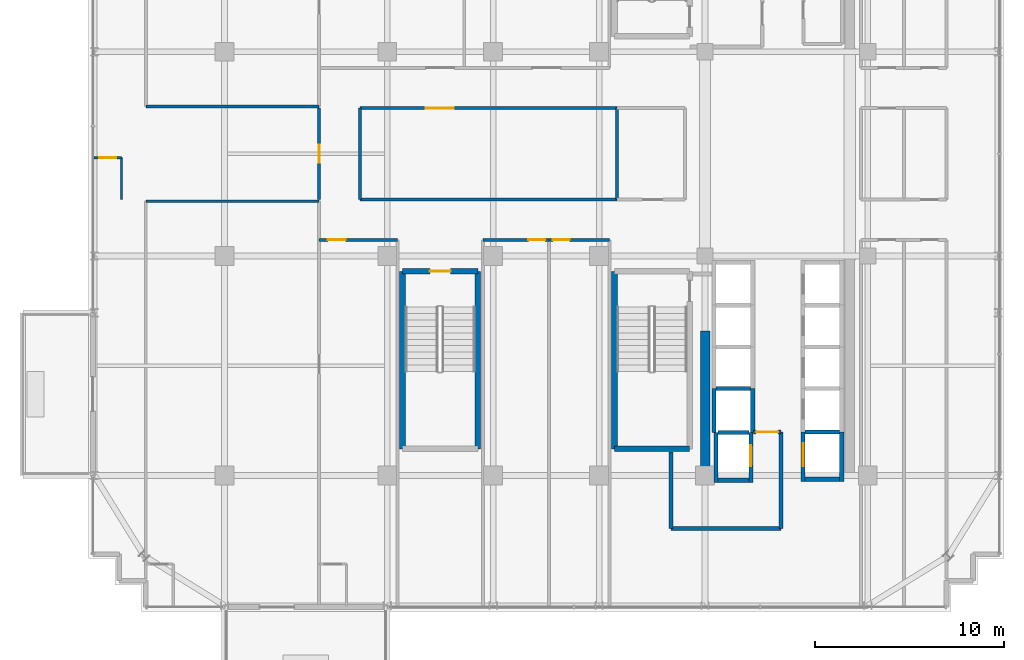
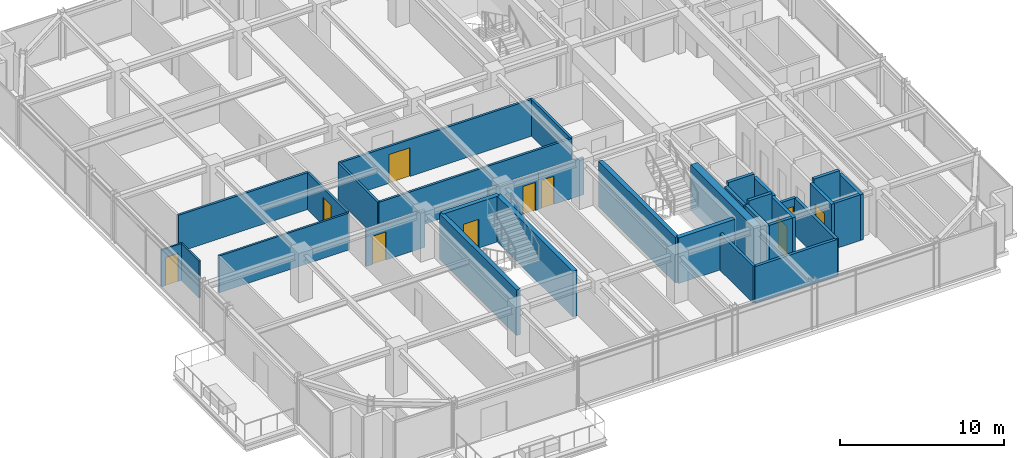
# One storey, part 29 of 35: 33 walls, 10 doors, 10 openings.
"""IFC4 building model written with IfcOpenShell, lengths in metres."""

from ifc_helpers import new_model, si_unit, direction, frame, frame_2d, origin, place, context, subcontext, project, spatial, rectangle, extrude, source, transform, mapped, material, layer, layer_set, type_object, element, fill, save


model = new_model("IFC4")

# Units and contexts
model_context = context("Model", 3, precision=1e-05, world=origin(), true_north=direction((0.0, 1.0)))
body_context = subcontext(model_context, "Body", "Model", "MODEL_VIEW")
ifc_project = project(units=[si_unit("LENGTHUNIT", "METRE"), si_unit("AREAUNIT", "SQUARE_METRE"), si_unit("VOLUMEUNIT", "CUBIC_METRE"), si_unit("PLANEANGLEUNIT", "RADIAN"), si_unit("MASSUNIT", "GRAM", prefix="KILO")], contexts=[model_context])

# Site, building, storey
site_placement = place(None, origin())
site = spatial("IfcSite", under=ifc_project, at=site_placement, CompositionType="ELEMENT")
building_placement = place(site_placement, origin())
building = spatial("IfcBuilding", under=site, at=building_placement, Name="Nahalor Promenade Grand Hotel", CompositionType="ELEMENT")
storey_placement = place(building_placement, frame((0.0, 0.0, 245.60009765625)))
storey = spatial("IfcBuildingStorey", under=building, at=storey_placement, Name="L63", CompositionType="ELEMENT", Elevation=245.60009765625)

# Walls
ifc_material_1 = material(Name="Concrete B-60 (C50/60)", Category="concrete")
ifc_layer_1 = layer(ifc_material_1, 0.5)
ifc_layer_set_1 = layer_set([ifc_layer_1], Name="Concrete B-60 (C50/60)")
wall_type_1 = type_object("IfcWallType", Name="Wall-CoreShear-500", PredefinedType="SHEAR", material=ifc_layer_set_1)
shared_shape_1 = source(origin(), body_context, "Body", "SweptSolid", [
    extrude(rectangle(XDim=7.64990234375, YDim=0.5, at=frame_2d((3.824951171875, 0.0))), origin(), (0.0, 0.0, 1.0), 3.409912109375),
])
wall_1_placement = place(storey_placement, frame((8.39990234375, -17.0, 0.0), z_axis=(0.0, 0.0, 1.0), x_axis=(0.0, 1.0, 0.0)))
element("IfcWall", 1, at=wall_1_placement, inside=storey, type_object=wall_type_1, Name="CWALL-L63-SW", PredefinedType="SHEAR", context=body_context, shape_type="MappedRepresentation", body=[
    mapped(shared_shape_1, transform((0.0, 0.0, 0.0), scale=1.0)),
])
ifc_material_2 = material(Name="Concrete B-50 (C40/50)", Category="concrete")
ifc_layer_2 = layer(ifc_material_2, 0.300048828125)
ifc_layer_set_2 = layer_set([ifc_layer_2], Name="Concrete B-50 (C40/50)")
wall_type_2 = type_object("IfcWallType", Name="Wall-ShaftShear-300", PredefinedType="SHEAR", material=ifc_layer_set_2)
shared_shape_2 = source(origin(), body_context, "Body", "SweptSolid", [
    extrude(rectangle(XDim=3.97998046875, YDim=0.300048828125, at=frame_2d((1.989990234375, 0.0))), origin(), (0.0, 0.0, 1.0), 3.409912109375),
])
wall_2_placement = place(storey_placement, frame((3.610107421875, -15.590087890625, 0.0), z_axis=(0.0, 0.0, 1.0), x_axis=(1.0, 0.0, 0.0)))
element("IfcWall", 2, at=wall_2_placement, inside=storey, type_object=wall_type_2, Name="L63 Exit Stair ST2 Shaft Wall S", PredefinedType="SHEAR", context=body_context, shape_type="MappedRepresentation", body=[
    mapped(shared_shape_2, transform((0.0, 0.0, 0.0), scale=1.0)),
])

# Wall, opening, door
wall_3_placement = place(storey_placement, frame((-7.590087890625, -6.2099609375, 0.0), z_axis=(0.0, 0.0, 1.0), x_axis=(1.0, 0.0, 0.0)))
wall_3 = element("IfcWall", 3, at=wall_3_placement, inside=storey, type_object=wall_type_2, Name="L63 Exit Stair ST3 Shaft Wall N", PredefinedType="SHEAR", context=body_context, shape_type="MappedRepresentation", body=[
    mapped(shared_shape_2, transform((0.0, 0.0, 0.0), scale=1.0)),
])
opening_1_placement = place(wall_3_placement, frame((1.43994140625, 0.0, 0.0)))
opening_1 = element("IfcOpeningElement", 4, at=opening_1_placement, cuts=wall_3, Name="Opening D-ST1", PredefinedType="OPENING", context=body_context, shape_type="SweptSolid", body=[
    extrude(rectangle(XDim=1.10009765625, YDim=2.14990234375, at=frame_2d((0.550048828125, 1.074951171875))), frame((0.0, 0.159912109375, 0.0), z_axis=(0.0, -1.0, 0.0), x_axis=(1.0, 0.0, 0.0)), (0.0, 0.0, 1.0), 0.320068359375),
])
ifc_material_3 = material(Name="Steel S355JR", Category="steel")
door_type_1 = type_object("IfcDoorType", Name="Door-StairFire-1100", OperationType="NOTDEFINED", PredefinedType="DOOR", material=ifc_material_3)
shared_shape_3 = source(origin(), body_context, "Body", "SweptSolid", [
    extrude(rectangle(XDim=1.10009765625, YDim=2.14990234375, at=frame_2d((0.550048828125, 1.074951171875))), frame((0.0, 0.02490234375, 0.0), z_axis=(0.0, -1.0, 0.0), x_axis=(1.0, 0.0, 0.0)), (0.0, 0.0, 1.0), 0.050048828125),
])
door_1_placement = place(opening_1_placement, frame((1.10009765625, 0.0, 0.0), z_axis=(0.0, 0.0, 1.0), x_axis=(-1.0, 0.0, 0.0)))
door_1 = element("IfcDoor", 5, at=door_1_placement, inside=storey, type_object=door_type_1, Name="DR-STAIR-ST3-L63", OperationType="SINGLE_SWING_RIGHT", OverallHeight=2.14990234375, OverallWidth=1.10009765625, PredefinedType="DOOR", context=body_context, shape_type="MappedRepresentation", body=[
    mapped(shared_shape_3, transform((0.0, 0.0, 0.0), scale=1.0)),
])
fill(opening_1, door_1)

# Walls
shared_shape_4 = source(origin(), body_context, "Body", "SweptSolid", [
    extrude(rectangle(XDim=9.380126953125, YDim=0.300048828125, at=frame_2d((4.68994140625, 0.0))), origin(), (0.0, 0.0, 1.0), 3.409912109375),
])
for number, where, z_axis, x_axis, name in (
    (6, (3.610107421875, -15.590087890625, 0.0), (0.0, 0.0, 1.0), (0.0, 1.0, 0.0), "L63 Exit Stair ST2 Shaft Wall W"),
    (7, (-7.590087890625, -15.590087890625, 0.0), (0.0, 0.0, 1.0), (0.0, 1.0, 0.0), "L63 Exit Stair ST3 Shaft Wall W"),
    (8, (-3.610107421875, -15.590087890625, 0.0), (0.0, 0.0, 1.0), (0.0, 1.0, 0.0), "L63 Exit Stair ST3 Shaft Wall E"),
):
    element("IfcWall", number, at=place(storey_placement, frame(where, z_axis=z_axis, x_axis=x_axis)), inside=storey, type_object=wall_type_2, Name=name, PredefinedType="SHEAR", context=body_context, shape_type="MappedRepresentation", body=[
        mapped(shared_shape_4, transform((0.0, 0.0, 0.0), scale=1.0)),
    ])
ifc_layer_3 = layer(ifc_material_2, 0.219970703125)
ifc_layer_set_3 = layer_set([ifc_layer_3], Name="Concrete B-50 (C40/50)")
wall_type_3 = type_object("IfcWallType", Name="Wall-LiftShaft-220", PredefinedType="SHEAR", material=ifc_layer_set_3)
shared_shape_5 = source(origin(), body_context, "Body", "SweptSolid", [
    extrude(rectangle(XDim=1.820068359375, YDim=0.219970703125, at=frame_2d((0.91015625, 0.0))), origin(), (0.0, 0.0, 1.0), 3.409912109375),
])
wall_4_placement = place(storey_placement, frame((13.68994140625, -17.199951171875, 0.0), z_axis=(0.0, 0.0, 1.0), x_axis=(1.0, 0.0, 0.0)))
element("IfcWall", 9, at=wall_4_placement, inside=storey, type_object=wall_type_3, Name="L63 Lift SV2 Hoistway Wall S", PredefinedType="SHEAR", context=body_context, shape_type="MappedRepresentation", body=[
    mapped(shared_shape_5, transform((0.0, 0.0, 0.0), scale=1.0)),
])
shared_shape_6 = source(origin(), body_context, "Body", "SweptSolid", [
    extrude(rectangle(XDim=1.820068359375, YDim=0.219970703125, at=frame_2d((0.91015625, 0.0))), origin(), (0.0, 0.0, 1.0), 3.699951171875),
])
for number, where, z_axis, x_axis, name in (
    (10, (8.989990234375, -12.39990234375, 0.0), (0.0, 0.0, 1.0), (1.0, 0.0, 0.0), "L63 Lift PL12 Hoistway Wall N"),
    (11, (13.68994140625, -14.699951171875, 0.0), (0.0, 0.0, 1.0), (1.0, 0.0, 0.0), "L63 Lift SV2 Hoistway Wall N"),
):
    element("IfcWall", number, at=place(storey_placement, frame(where, z_axis=z_axis, x_axis=x_axis)), inside=storey, type_object=wall_type_3, Name=name, PredefinedType="SHEAR", context=body_context, shape_type="MappedRepresentation", body=[
        mapped(shared_shape_6, transform((0.0, 0.0, 0.0), scale=1.0)),
    ])
shared_shape_7 = source(origin(), body_context, "Body", "SweptSolid", [
    extrude(rectangle(XDim=2.3251953125, YDim=0.219970703125, at=frame_2d((1.16259765625, 0.0))), origin(), (0.0, 0.0, 1.0), 3.409912109375),
])
for number, where, z_axis, x_axis, name in (
    (12, (8.8798828125, -14.72509765625, 0.0), (0.0, 0.0, 1.0), (0.0, 1.0, 0.0), "L63 Lift PL12 Hoistway Wall W"),
    (13, (10.919921875, -14.72509765625, 0.0), (0.0, 0.0, 1.0), (0.0, 1.0, 0.0), "L63 Lift PL12 Hoistway Wall E"),
):
    element("IfcWall", number, at=place(storey_placement, frame(where, z_axis=z_axis, x_axis=x_axis)), inside=storey, type_object=wall_type_3, Name=name, PredefinedType="SHEAR", context=body_context, shape_type="MappedRepresentation", body=[
        mapped(shared_shape_7, transform((0.0, 0.0, 0.0), scale=1.0)),
    ])
shared_shape_8 = source(origin(), body_context, "Body", "SweptSolid", [
    extrude(rectangle(XDim=2.635009765625, YDim=0.219970703125, at=frame_2d((1.3173828125, 0.0))), origin(), (0.0, 0.0, 1.0), 3.409912109375),
])
wall_5_placement = place(storey_placement, frame((8.97998046875, -17.360107421875, 0.0), z_axis=(0.0, 0.0, 1.0), x_axis=(0.0, 1.0, 0.0)))
element("IfcWall", 14, at=wall_5_placement, inside=storey, type_object=wall_type_3, Name="L63 Lift FL2 Hoistway Wall W", PredefinedType="SHEAR", context=body_context, shape_type="MappedRepresentation", body=[
    mapped(shared_shape_8, transform((0.0, 0.0, 0.0), scale=1.0)),
])

# Wall, opening, door
wall_6_placement = place(storey_placement, frame((10.820068359375, -17.360107421875, 0.0), z_axis=(0.0, 0.0, 1.0), x_axis=(0.0, 1.0, 0.0)))
wall_6 = element("IfcWall", 15, at=wall_6_placement, inside=storey, type_object=wall_type_3, Name="L63 Lift FL2 Hoistway Wall E", PredefinedType="SHEAR", context=body_context, shape_type="MappedRepresentation", body=[
    mapped(shared_shape_8, transform((0.0, 0.0, 0.0), scale=1.0)),
])
opening_2_placement = place(wall_6_placement, frame((0.860107421875, 0.0, 0.0)))
opening_2 = element("IfcOpeningElement", 16, at=opening_2_placement, cuts=wall_6, Name="Opening LD-02", PredefinedType="OPENING", context=body_context, shape_type="SweptSolid", body=[
    extrude(rectangle(XDim=1.10009765625, YDim=2.199951171875, at=frame_2d((0.550048828125, 1.10009765625))), frame((0.0, 0.119873046875, 0.0), z_axis=(0.0, -1.0, 0.0), x_axis=(1.0, 0.0, 0.0)), (0.0, 0.0, 1.0), 0.239990234375),
])
door_type_2 = type_object("IfcDoorType", Name="Door-LiftFF-1100", OperationType="DOUBLE_DOOR_SLIDING", PredefinedType="DOOR", material=ifc_material_3)
shared_shape_9 = source(origin(), body_context, "Body", "SweptSolid", [
    extrude(rectangle(XDim=1.10009765625, YDim=2.199951171875, at=frame_2d((0.550048828125, 1.10009765625))), frame((0.0, 0.02490234375, 0.0), z_axis=(0.0, -1.0, 0.0), x_axis=(1.0, 0.0, 0.0)), (0.0, 0.0, 1.0), 0.050048828125),
])
door_2_placement = place(opening_2_placement, frame((1.10009765625, 0.0, 0.0), z_axis=(0.0, 0.0, 1.0), x_axis=(-1.0, 0.0, 0.0)))
door_2 = element("IfcDoor", 17, at=door_2_placement, inside=storey, type_object=door_type_2, Name="DR-LIFT-FL2-L63", OperationType="DOUBLE_DOOR_SLIDING", OverallHeight=2.199951171875, OverallWidth=1.10009765625, PredefinedType="DOOR", context=body_context, shape_type="MappedRepresentation", body=[
    mapped(shared_shape_9, transform((0.0, 0.0, 0.0), scale=1.0)),
])
fill(opening_2, door_2)

# Walls
shared_shape_10 = source(origin(), body_context, "Body", "SweptSolid", [
    extrude(rectangle(XDim=1.619873046875, YDim=0.219970703125, at=frame_2d((0.81005859375, 0.0))), origin(), (0.0, 0.0, 1.0), 3.409912109375),
])
wall_7_placement = place(storey_placement, frame((9.090087890625, -17.25, 0.0), z_axis=(0.0, 0.0, 1.0), x_axis=(1.0, 0.0, 0.0)))
element("IfcWall", 18, at=wall_7_placement, inside=storey, type_object=wall_type_3, Name="L63 Lift FL2 Hoistway Wall S", PredefinedType="SHEAR", context=body_context, shape_type="MappedRepresentation", body=[
    mapped(shared_shape_10, transform((0.0, 0.0, 0.0), scale=1.0)),
])
shared_shape_11 = source(origin(), body_context, "Body", "SweptSolid", [
    extrude(rectangle(XDim=1.619873046875, YDim=0.219970703125, at=frame_2d((0.81005859375, 0.0))), origin(), (0.0, 0.0, 1.0), 3.699951171875),
])
wall_8_placement = place(storey_placement, frame((9.090087890625, -14.72509765625, 0.0), z_axis=(0.0, 0.0, 1.0), x_axis=(1.0, 0.0, 0.0)))
element("IfcWall", 19, at=wall_8_placement, inside=storey, type_object=wall_type_3, Name="L63 Lift FL2 Hoistway Wall N", PredefinedType="SHEAR", context=body_context, shape_type="MappedRepresentation", body=[
    mapped(shared_shape_11, transform((0.0, 0.0, 0.0), scale=1.0)),
])

# Wall, opening, door
shared_shape_12 = source(origin(), body_context, "Body", "SweptSolid", [
    extrude(rectangle(XDim=2.610107421875, YDim=0.219970703125, at=frame_2d((1.30517578125, 0.0))), origin(), (0.0, 0.0, 1.0), 3.409912109375),
])
wall_9_placement = place(storey_placement, frame((13.580078125, -17.31005859375, 0.0), z_axis=(0.0, 0.0, 1.0), x_axis=(0.0, 1.0, 0.0)))
wall_9 = element("IfcWall", 20, at=wall_9_placement, inside=storey, type_object=wall_type_3, Name="L63 Lift SV2 Hoistway Wall W", PredefinedType="SHEAR", context=body_context, shape_type="MappedRepresentation", body=[
    mapped(shared_shape_12, transform((0.0, 0.0, 0.0), scale=1.0)),
])
opening_3_placement = place(wall_9_placement, frame((0.81005859375, 0.0, 0.0)))
opening_3 = element("IfcOpeningElement", 21, at=opening_3_placement, cuts=wall_9, Name="Opening LD-03", PredefinedType="OPENING", context=body_context, shape_type="SweptSolid", body=[
    extrude(rectangle(XDim=1.199951171875, YDim=2.199951171875, at=frame_2d((0.60009765625, 1.10009765625))), frame((0.0, 0.119873046875, 0.0), z_axis=(0.0, -1.0, 0.0), x_axis=(1.0, 0.0, 0.0)), (0.0, 0.0, 1.0), 0.239990234375),
])
door_type_3 = type_object("IfcDoorType", Name="Door-LiftService-1200", OperationType="DOUBLE_DOOR_SLIDING", PredefinedType="DOOR", material=ifc_material_3)
shared_shape_13 = source(origin(), body_context, "Body", "SweptSolid", [
    extrude(rectangle(XDim=1.199951171875, YDim=2.199951171875, at=frame_2d((0.60009765625, 1.10009765625))), frame((0.0, 0.02490234375, 0.0), z_axis=(0.0, -1.0, 0.0), x_axis=(1.0, 0.0, 0.0)), (0.0, 0.0, 1.0), 0.050048828125),
])
door_3_placement = place(opening_3_placement, origin())
door_3 = element("IfcDoor", 22, at=door_3_placement, inside=storey, type_object=door_type_3, Name="DR-LIFT-SV2-L63", OperationType="DOUBLE_DOOR_SLIDING", OverallHeight=2.199951171875, OverallWidth=1.199951171875, PredefinedType="DOOR", context=body_context, shape_type="MappedRepresentation", body=[
    mapped(shared_shape_13, transform((0.0, 0.0, 0.0), scale=1.0)),
])
fill(opening_3, door_3)

# Walls
wall_10_placement = place(storey_placement, frame((15.6201171875, -17.31005859375, 0.0), z_axis=(0.0, 0.0, 1.0), x_axis=(0.0, 1.0, 0.0)))
element("IfcWall", 23, at=wall_10_placement, inside=storey, type_object=wall_type_3, Name="L63 Lift SV2 Hoistway Wall E", PredefinedType="SHEAR", context=body_context, shape_type="MappedRepresentation", body=[
    mapped(shared_shape_12, transform((0.0, 0.0, 0.0), scale=1.0)),
])
ifc_material_4 = material(Name="Concrete B-40 (C32/40)", Category="concrete")
ifc_layer_4 = layer(ifc_material_4, 0.199951171875)
ifc_layer_set_4 = layer_set([ifc_layer_4], Name="Concrete B-40 (C32/40)")
wall_type_4 = type_object("IfcWallType", Name="Wall-PartFire-200", PredefinedType="PARTITIONING", material=ifc_layer_set_4)
shared_shape_14 = source(origin(), body_context, "Body", "SweptSolid", [
    extrude(rectangle(XDim=5.81982421875, YDim=0.199951171875, at=frame_2d((2.909912109375, 0.0))), origin(), (0.0, 0.0, 1.0), 2.75),
])
wall_11_placement = place(storey_placement, frame((6.60009765625, -19.800048828125, 0.0), z_axis=(0.0, 0.0, 1.0), x_axis=(1.0, 0.0, 0.0)))
element("IfcWall", 24, at=wall_11_placement, inside=storey, type_object=wall_type_4, Name="W-L63-FF2-S1", PredefinedType="PARTITIONING", context=body_context, shape_type="MappedRepresentation", body=[
    mapped(shared_shape_14, transform((0.0, 0.0, 0.0), scale=1.0)),
])
shared_shape_15 = source(origin(), body_context, "Body", "SweptSolid", [
    extrude(rectangle(XDim=4.030029296875, YDim=0.199951171875, at=frame_2d((2.01513671875, 0.0))), origin(), (0.0, 0.0, 1.0), 2.75),
])
wall_12_placement = place(storey_placement, frame((6.60009765625, -19.800048828125, 0.0), z_axis=(0.0, 0.0, 1.0), x_axis=(0.0, 1.0, 0.0)))
element("IfcWall", 25, at=wall_12_placement, inside=storey, type_object=wall_type_4, Name="W-L63-FF2-W1", PredefinedType="PARTITIONING", context=body_context, shape_type="MappedRepresentation", body=[
    mapped(shared_shape_15, transform((0.0, 0.0, 0.0), scale=1.0)),
])
shared_shape_16 = source(origin(), body_context, "Body", "SweptSolid", [
    extrude(rectangle(XDim=5.10009765625, YDim=0.199951171875, at=frame_2d((2.550048828125, 0.0))), origin(), (0.0, 0.0, 1.0), 2.75),
])
wall_13_placement = place(storey_placement, frame((12.419921875, -19.800048828125, 0.0), z_axis=(0.0, 0.0, 1.0), x_axis=(0.0, 1.0, 0.0)))
element("IfcWall", 26, at=wall_13_placement, inside=storey, type_object=wall_type_4, Name="W-L63-FF2-E", PredefinedType="PARTITIONING", context=body_context, shape_type="MappedRepresentation", body=[
    mapped(shared_shape_16, transform((0.0, 0.0, 0.0), scale=1.0)),
])

# Wall, opening, door
shared_shape_17 = source(origin(), body_context, "Body", "SweptSolid", [
    extrude(rectangle(XDim=1.4599609375, YDim=0.199951171875, at=frame_2d((0.72998046875, 0.0))), origin(), (0.0, 0.0, 1.0), 2.75),
])
wall_14_placement = place(storey_placement, frame((10.9599609375, -14.699951171875, 0.0), z_axis=(0.0, 0.0, 1.0), x_axis=(1.0, 0.0, 0.0)))
wall_14 = element("IfcWall", 27, at=wall_14_placement, inside=storey, type_object=wall_type_4, Name="W-L63-FF2-N1", PredefinedType="PARTITIONING", context=body_context, shape_type="MappedRepresentation", body=[
    mapped(shared_shape_17, transform((0.0, 0.0, 0.0), scale=1.0)),
])
opening_4_placement = place(wall_14_placement, frame((0.14501953125, 0.0, 0.0)))
opening_4 = element("IfcOpeningElement", 28, at=opening_4_placement, cuts=wall_14, Name="Opening D-FF1", PredefinedType="OPENING", context=body_context, shape_type="SweptSolid", body=[
    extrude(rectangle(XDim=1.14990234375, YDim=2.14990234375, at=frame_2d((0.574951171875, 1.074951171875))), frame((0.0, 0.10986328125, 0.0), z_axis=(0.0, -1.0, 0.0), x_axis=(1.0, 0.0, 0.0)), (0.0, 0.0, 1.0), 0.219970703125),
])
door_type_4 = type_object("IfcDoorType", Name="Door-FFLobby-1150", OperationType="NOTDEFINED", PredefinedType="DOOR", material=ifc_material_3)
shared_shape_18 = source(origin(), body_context, "Body", "SweptSolid", [
    extrude(rectangle(XDim=1.14990234375, YDim=2.14990234375, at=frame_2d((0.574951171875, 1.074951171875))), frame((0.0, 0.02490234375, 0.0), z_axis=(0.0, -1.0, 0.0), x_axis=(1.0, 0.0, 0.0)), (0.0, 0.0, 1.0), 0.050048828125),
])
door_4_placement = place(opening_4_placement, origin())
door_4 = element("IfcDoor", 29, at=door_4_placement, inside=storey, type_object=door_type_4, Name="DR-L63-FFL2", OperationType="SINGLE_SWING_RIGHT", OverallHeight=2.14990234375, OverallWidth=1.14990234375, PredefinedType="DOOR", context=body_context, shape_type="MappedRepresentation", body=[
    mapped(shared_shape_18, transform((0.0, 0.0, 0.0), scale=1.0)),
])
fill(opening_4, door_4)

ifc_material_5 = material(Name="Acoustic Mineral Gypsum", Category="gypsum")
ifc_layer_5 = layer(ifc_material_5, 0.1201171875)
ifc_layer_set_5 = layer_set([ifc_layer_5], Name="Acoustic Mineral Gypsum")
wall_type_5 = type_object("IfcWallType", Name="Wall-PartBath-120", PredefinedType="PARTITIONING", material=ifc_layer_set_5)
shared_shape_19 = source(origin(), body_context, "Body", "SweptSolid", [
    extrude(rectangle(XDim=1.449951171875, YDim=0.1201171875, at=frame_2d((0.72509765625, 0.0))), origin(), (0.0, 0.0, 1.0), 2.75),
])
wall_15_placement = place(storey_placement, frame((-23.89990234375, -0.199951171875, 0.0), z_axis=(0.0, 0.0, 1.0), x_axis=(1.0, 0.0, 0.0)))
wall_15 = element("IfcWall", 30, at=wall_15_placement, inside=storey, type_object=wall_type_5, Name="W-L63-W1-BH", PredefinedType="PARTITIONING", context=body_context, shape_type="MappedRepresentation", body=[
    mapped(shared_shape_19, transform((0.0, 0.0, 0.0), scale=1.0)),
])
opening_5_placement = place(wall_15_placement, frame((0.284912109375, 0.0, 0.0)))
opening_5 = element("IfcOpeningElement", 31, at=opening_5_placement, cuts=wall_15, Name="Opening D-03", PredefinedType="OPENING", context=body_context, shape_type="SweptSolid", body=[
    extrude(rectangle(XDim=0.8798828125, YDim=2.10009765625, at=frame_2d((0.43994140625, 1.050048828125))), frame((0.0, 0.070068359375, 0.0), z_axis=(0.0, -1.0, 0.0), x_axis=(1.0, 0.0, 0.0)), (0.0, 0.0, 1.0), 0.14013671875),
])
ifc_material_6 = material(Name="Fire-Rated Timber Composite", Category="wood")
door_type_5 = type_object("IfcDoorType", Name="Door-BathSwing-880", OperationType="NOTDEFINED", PredefinedType="DOOR", material=ifc_material_6)
shared_shape_20 = source(origin(), body_context, "Body", "SweptSolid", [
    extrude(rectangle(XDim=0.8798828125, YDim=2.10009765625, at=frame_2d((0.43994140625, 1.050048828125))), frame((0.0, 0.02490234375, 0.0), z_axis=(0.0, -1.0, 0.0), x_axis=(1.0, 0.0, 0.0)), (0.0, 0.0, 1.0), 0.050048828125),
])
door_5_placement = place(opening_5_placement, frame((0.8798828125, 0.0, 0.0), z_axis=(0.0, 0.0, 1.0), x_axis=(-1.0, 0.0, 0.0)))
door_5 = element("IfcDoor", 32, at=door_5_placement, inside=storey, type_object=door_type_5, Name="DR-L63-W1-BATH", OperationType="SINGLE_SWING_RIGHT", OverallHeight=2.10009765625, OverallWidth=0.8798828125, PredefinedType="DOOR", context=body_context, shape_type="MappedRepresentation", body=[
    mapped(shared_shape_20, transform((0.0, 0.0, 0.0), scale=1.0)),
])
fill(opening_5, door_5)

# Wall
shared_shape_21 = source(origin(), body_context, "Body", "SweptSolid", [
    extrude(rectangle(XDim=2.219970703125, YDim=0.1201171875, at=frame_2d((1.10986328125, 0.0))), origin(), (0.0, 0.0, 1.0), 2.75),
])
wall_16_placement = place(storey_placement, frame((-22.449951171875, -2.419921875, 0.0), z_axis=(0.0, 0.0, 1.0), x_axis=(0.0, 1.0, 0.0)))
element("IfcWall", 33, at=wall_16_placement, inside=storey, type_object=wall_type_5, Name="W-L63-W1-BV", PredefinedType="PARTITIONING", context=body_context, shape_type="MappedRepresentation", body=[
    mapped(shared_shape_21, transform((0.0, 0.0, 0.0), scale=1.0)),
])

# Wall, opening, door
ifc_layer_6 = layer(ifc_material_5, 0.159912109375)
ifc_layer_set_6 = layer_set([ifc_layer_6], Name="Acoustic Mineral Gypsum")
wall_type_6 = type_object("IfcWallType", Name="Wall-PartCorridor-160", PredefinedType="PARTITIONING", material=ifc_layer_set_6)
shared_shape_22 = source(origin(), body_context, "Body", "SweptSolid", [
    extrude(rectangle(XDim=3.489990234375, YDim=0.159912109375, at=frame_2d((1.7451171875, 0.0))), origin(), (0.0, 0.0, 1.0), 2.75),
])
wall_17_placement = place(storey_placement, frame((-3.340087890625, -4.550048828125, 0.0), z_axis=(0.0, 0.0, 1.0), x_axis=(1.0, 0.0, 0.0)))
wall_17 = element("IfcWall", 34, at=wall_17_placement, inside=storey, type_object=wall_type_6, Name="W-L63-SCB1-N", PredefinedType="PARTITIONING", context=body_context, shape_type="MappedRepresentation", body=[
    mapped(shared_shape_22, transform((0.0, 0.0, 0.0), scale=1.0)),
])
opening_6_placement = place(wall_17_placement, frame((2.39990234375, 0.0, 0.0)))
opening_6 = element("IfcOpeningElement", 35, at=opening_6_placement, cuts=wall_17, Name="Opening D-03", PredefinedType="OPENING", context=body_context, shape_type="SweptSolid", body=[
    extrude(rectangle(XDim=0.8798828125, YDim=2.10009765625, at=frame_2d((0.43994140625, 1.050048828125))), frame((0.0, 0.08984375, 0.0), z_axis=(0.0, -1.0, 0.0), x_axis=(1.0, 0.0, 0.0)), (0.0, 0.0, 1.0), 0.179931640625),
])
door_6_placement = place(opening_6_placement, frame((0.8798828125, 0.0, 0.0), z_axis=(0.0, 0.0, 1.0), x_axis=(-1.0, 0.0, 0.0)))
door_6 = element("IfcDoor", 36, at=door_6_placement, inside=storey, type_object=door_type_5, Name="DR-L63-SCB1", OperationType="SINGLE_SWING_RIGHT", OverallHeight=2.10009765625, OverallWidth=0.8798828125, PredefinedType="DOOR", context=body_context, shape_type="MappedRepresentation", body=[
    mapped(shared_shape_20, transform((0.0, 0.0, 0.0), scale=1.0)),
])
fill(opening_6, door_6)

shared_shape_23 = source(origin(), body_context, "Body", "SweptSolid", [
    extrude(rectangle(XDim=3.190185546875, YDim=0.159912109375, at=frame_2d((1.59521484375, 0.0))), origin(), (0.0, 0.0, 1.0), 2.75),
])
wall_18_placement = place(storey_placement, frame((0.14990234375, -4.550048828125, 0.0), z_axis=(0.0, 0.0, 1.0), x_axis=(1.0, 0.0, 0.0)))
wall_18 = element("IfcWall", 37, at=wall_18_placement, inside=storey, type_object=wall_type_6, Name="W-L63-SCB2-N", PredefinedType="PARTITIONING", context=body_context, shape_type="MappedRepresentation", body=[
    mapped(shared_shape_23, transform((0.0, 0.0, 0.0), scale=1.0)),
])
opening_7_placement = place(wall_18_placement, frame((0.2099609375, 0.0, 0.0)))
opening_7 = element("IfcOpeningElement", 38, at=opening_7_placement, cuts=wall_18, Name="Opening D-03", PredefinedType="OPENING", context=body_context, shape_type="SweptSolid", body=[
    extrude(rectangle(XDim=0.8798828125, YDim=2.10009765625, at=frame_2d((0.43994140625, 1.050048828125))), frame((0.0, 0.08984375, 0.0), z_axis=(0.0, -1.0, 0.0), x_axis=(1.0, 0.0, 0.0)), (0.0, 0.0, 1.0), 0.179931640625),
])
door_7_placement = place(opening_7_placement, frame((0.8798828125, 0.0, 0.0), z_axis=(0.0, 0.0, 1.0), x_axis=(-1.0, 0.0, 0.0)))
door_7 = element("IfcDoor", 39, at=door_7_placement, inside=storey, type_object=door_type_5, Name="DR-L63-SCB2", OperationType="SINGLE_SWING_LEFT", OverallHeight=2.10009765625, OverallWidth=0.8798828125, PredefinedType="DOOR", context=body_context, shape_type="MappedRepresentation", body=[
    mapped(shared_shape_20, transform((0.0, 0.0, 0.0), scale=1.0)),
])
fill(opening_7, door_7)

shared_shape_24 = source(origin(), body_context, "Body", "SweptSolid", [
    extrude(rectangle(XDim=4.83984375, YDim=0.159912109375, at=frame_2d((2.419921875, 0.0))), origin(), (0.0, 0.0, 1.0), 2.75),
])
wall_19_placement = place(storey_placement, frame((-12.0, -2.419921875, 0.0), z_axis=(0.0, 0.0, 1.0), x_axis=(0.0, 1.0, 0.0)))
wall_19 = element("IfcWall", 40, at=wall_19_placement, inside=storey, type_object=wall_type_6, Name="W-L63-WEST-E", PredefinedType="PARTITIONING", context=body_context, shape_type="MappedRepresentation", body=[
    mapped(shared_shape_24, transform((0.0, 0.0, 0.0), scale=1.0)),
])
opening_8_placement = place(wall_19_placement, frame((1.945068359375, 0.0, 0.0)))
opening_8 = element("IfcOpeningElement", 41, at=opening_8_placement, cuts=wall_19, Name="Opening D-01", PredefinedType="OPENING", context=body_context, shape_type="SweptSolid", body=[
    extrude(rectangle(XDim=0.949951171875, YDim=2.10009765625, at=frame_2d((0.47509765625, 1.050048828125))), frame((0.0, 0.08984375, 0.0), z_axis=(0.0, -1.0, 0.0), x_axis=(1.0, 0.0, 0.0)), (0.0, 0.0, 1.0), 0.179931640625),
])
door_type_6 = type_object("IfcDoorType", Name="Door-GuestEntry-950", OperationType="NOTDEFINED", PredefinedType="DOOR", material=ifc_material_6)
shared_shape_25 = source(origin(), body_context, "Body", "SweptSolid", [
    extrude(rectangle(XDim=0.949951171875, YDim=2.10009765625, at=frame_2d((0.47509765625, 1.050048828125))), frame((0.0, 0.02490234375, 0.0), z_axis=(0.0, -1.0, 0.0), x_axis=(1.0, 0.0, 0.0)), (0.0, 0.0, 1.0), 0.050048828125),
])
door_8_placement = place(opening_8_placement, origin())
door_8 = element("IfcDoor", 42, at=door_8_placement, inside=storey, type_object=door_type_6, Name="DR-L63-W1-ENT", OperationType="SINGLE_SWING_LEFT", OverallHeight=2.10009765625, OverallWidth=0.949951171875, PredefinedType="DOOR", context=body_context, shape_type="MappedRepresentation", body=[
    mapped(shared_shape_25, transform((0.0, 0.0, 0.0), scale=1.0)),
])
fill(opening_8, door_8)

# Walls
for number, where, z_axis, x_axis, name in (
    (43, (-9.85009765625, -2.419921875, 0.0), (0.0, 0.0, 1.0), (0.0, 1.0, 0.0), "W-L63-CM1-W"),
    (44, (3.75, -2.419921875, 0.0), (0.0, 0.0, 1.0), (0.0, 1.0, 0.0), "W-L63-CM1-E"),
):
    element("IfcWall", number, at=place(storey_placement, frame(where, z_axis=z_axis, x_axis=x_axis)), inside=storey, type_object=wall_type_6, Name=name, PredefinedType="PARTITIONING", context=body_context, shape_type="MappedRepresentation", body=[
        mapped(shared_shape_24, transform((0.0, 0.0, 0.0), scale=1.0)),
    ])
ifc_layer_7 = layer(ifc_material_5, 0.139892578125)
ifc_layer_set_7 = layer_set([ifc_layer_7], Name="Acoustic Mineral Gypsum")
wall_type_7 = type_object("IfcWallType", Name="Wall-PartSuite-140", PredefinedType="PARTITIONING", material=ifc_layer_set_7)
shared_shape_26 = source(origin(), body_context, "Body", "SweptSolid", [
    extrude(rectangle(XDim=9.159912109375, YDim=0.139892578125, at=frame_2d((4.580078125, 0.0))), origin(), (0.0, 0.0, 1.0), 2.75),
])
wall_20_placement = place(storey_placement, frame((-21.159912109375, -2.5, 0.0), z_axis=(0.0, 0.0, 1.0), x_axis=(1.0, 0.0, 0.0)))
element("IfcWall", 45, at=wall_20_placement, inside=storey, type_object=wall_type_7, Name="W-L63-ZSW-N", PredefinedType="PARTITIONING", context=body_context, shape_type="MappedRepresentation", body=[
    mapped(shared_shape_26, transform((0.0, 0.0, 0.0), scale=1.0)),
])

# Wall, opening, door
shared_shape_27 = source(origin(), body_context, "Body", "SweptSolid", [
    extrude(rectangle(XDim=4.139892578125, YDim=0.159912109375, at=frame_2d((2.06982421875, 0.0))), origin(), (0.0, 0.0, 1.0), 2.75),
])
wall_21_placement = place(storey_placement, frame((-12.0, -4.550048828125, 0.0), z_axis=(0.0, 0.0, 1.0), x_axis=(1.0, 0.0, 0.0)))
wall_21 = element("IfcWall", 46, at=wall_21_placement, inside=storey, type_object=wall_type_6, Name="W-L63-CORR-S", PredefinedType="PARTITIONING", context=body_context, shape_type="MappedRepresentation", body=[
    mapped(shared_shape_27, transform((0.0, 0.0, 0.0), scale=1.0)),
])
opening_9_placement = place(wall_21_placement, frame((0.45703125, 0.0, 0.0)))
opening_9 = element("IfcOpeningElement", 47, at=opening_9_placement, cuts=wall_21, Name="Opening D-01", PredefinedType="OPENING", context=body_context, shape_type="SweptSolid", body=[
    extrude(rectangle(XDim=0.949951171875, YDim=2.10009765625, at=frame_2d((0.47509765625, 1.050048828125))), frame((0.0, 0.08984375, 0.0), z_axis=(0.0, -1.0, 0.0), x_axis=(1.0, 0.0, 0.0)), (0.0, 0.0, 1.0), 0.179931640625),
])
door_9_placement = place(opening_9_placement, frame((0.949951171875, 0.0, 0.0), z_axis=(0.0, 0.0, 1.0), x_axis=(-1.0, 0.0, 0.0)))
door_9 = element("IfcDoor", 48, at=door_9_placement, inside=storey, type_object=door_type_6, Name="DR-L63-S1-ENT", OperationType="SINGLE_SWING_LEFT", OverallHeight=2.10009765625, OverallWidth=0.949951171875, PredefinedType="DOOR", context=body_context, shape_type="MappedRepresentation", body=[
    mapped(shared_shape_25, transform((0.0, 0.0, 0.0), scale=1.0)),
])
fill(opening_9, door_9)

# Walls
shared_shape_28 = source(origin(), body_context, "Body", "SweptSolid", [
    extrude(rectangle(XDim=9.159912109375, YDim=0.159912109375, at=frame_2d((4.580078125, 0.0))), origin(), (0.0, 0.0, 1.0), 2.75),
])
wall_22_placement = place(storey_placement, frame((-21.159912109375, 2.5, 0.0), z_axis=(0.0, 0.0, 1.0), x_axis=(1.0, 0.0, 0.0)))
element("IfcWall", 49, at=wall_22_placement, inside=storey, type_object=wall_type_6, Name="W-L63-NW0A-S", PredefinedType="PARTITIONING", context=body_context, shape_type="MappedRepresentation", body=[
    mapped(shared_shape_28, transform((0.0, 0.0, 0.0), scale=1.0)),
])
shared_shape_29 = source(origin(), body_context, "Body", "SweptSolid", [
    extrude(rectangle(XDim=13.60009765625, YDim=0.159912109375, at=frame_2d((6.800048828125, 0.0))), origin(), (0.0, 0.0, 1.0), 2.75),
])
wall_23_placement = place(storey_placement, frame((-9.85009765625, -2.419921875, 0.0), z_axis=(0.0, 0.0, 1.0), x_axis=(1.0, 0.0, 0.0)))
element("IfcWall", 50, at=wall_23_placement, inside=storey, type_object=wall_type_6, Name="W-L63-CM1-S", PredefinedType="PARTITIONING", context=body_context, shape_type="MappedRepresentation", body=[
    mapped(shared_shape_29, transform((0.0, 0.0, 0.0), scale=1.0)),
])

# Wall, opening, door
wall_24_placement = place(storey_placement, frame((-9.85009765625, 2.419921875, 0.0), z_axis=(0.0, 0.0, 1.0), x_axis=(1.0, 0.0, 0.0)))
wall_24 = element("IfcWall", 51, at=wall_24_placement, inside=storey, type_object=wall_type_6, Name="W-L63-CM1-N", PredefinedType="PARTITIONING", context=body_context, shape_type="MappedRepresentation", body=[
    mapped(shared_shape_29, transform((0.0, 0.0, 0.0), scale=1.0)),
])
opening_10_placement = place(wall_24_placement, frame((3.47607421875, 0.0, 0.0)))
opening_10 = element("IfcOpeningElement", 52, at=opening_10_placement, cuts=wall_24, Name="Opening D-02", PredefinedType="OPENING", context=body_context, shape_type="SweptSolid", body=[
    extrude(rectangle(XDim=1.5, YDim=2.14990234375, at=frame_2d((0.75, 1.074951171875))), frame((0.0, 0.08984375, 0.0), z_axis=(0.0, -1.0, 0.0), x_axis=(1.0, 0.0, 0.0)), (0.0, 0.0, 1.0), 0.179931640625),
])
door_type_7 = type_object("IfcDoorType", Name="Door-SuiteDouble-1500", OperationType="DOUBLE_DOOR_SINGLE_SWING", PredefinedType="DOOR", material=ifc_material_6)
shared_shape_30 = source(origin(), body_context, "Body", "SweptSolid", [
    extrude(rectangle(XDim=1.5, YDim=2.14990234375, at=frame_2d((0.75, 1.074951171875))), frame((0.0, 0.02490234375, 0.0), z_axis=(0.0, -1.0, 0.0), x_axis=(1.0, 0.0, 0.0)), (0.0, 0.0, 1.0), 0.050048828125),
])
door_10_placement = place(opening_10_placement, frame((1.5, 0.0, 0.0), z_axis=(0.0, 0.0, 1.0), x_axis=(-1.0, 0.0, 0.0)))
door_10 = element("IfcDoor", 53, at=door_10_placement, inside=storey, type_object=door_type_7, Name="DR-L63-CM1", OperationType="DOUBLE_DOOR_SINGLE_SWING", OverallHeight=2.14990234375, OverallWidth=1.5, PredefinedType="DOOR", context=body_context, shape_type="MappedRepresentation", body=[
    mapped(shared_shape_30, transform((0.0, 0.0, 0.0), scale=1.0)),
])
fill(opening_10, door_10)

save(model, "model.ifc")
